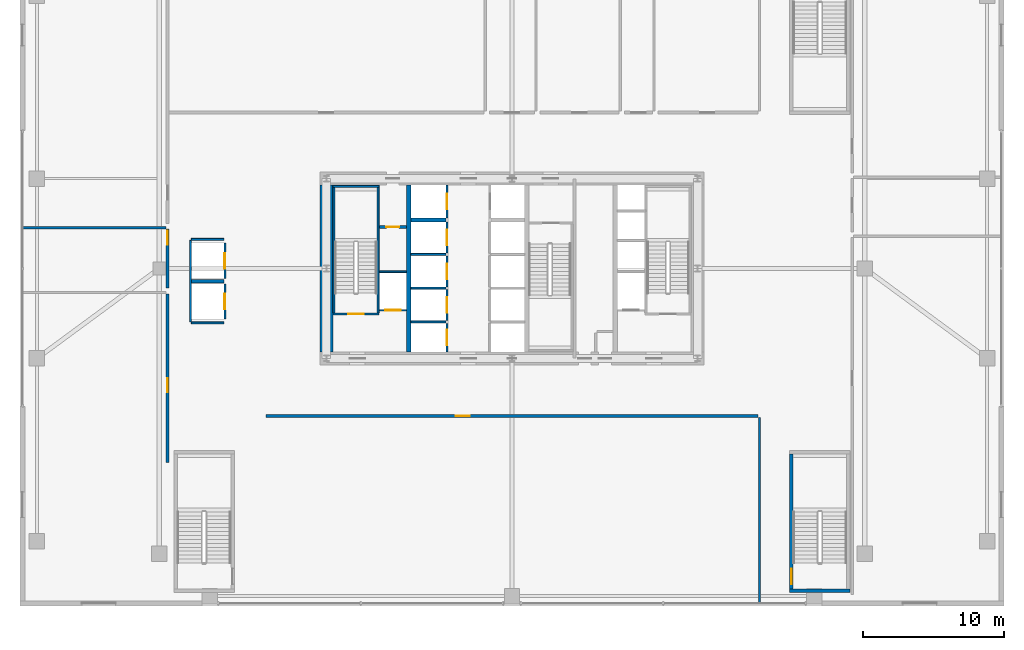
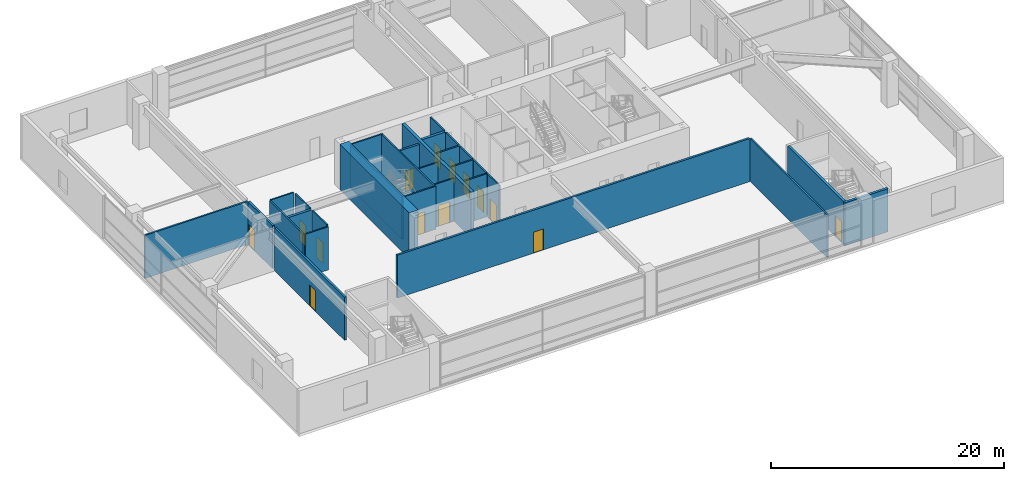
# One storey, part 33 of 38: 31 walls, 14 doors, 14 openings.
"""IFC4 building model written with IfcOpenShell, lengths in metres."""

from ifc_helpers import new_model, si_unit, direction, frame, frame_2d, origin, place, context, subcontext, project, spatial, rectangle, extrude, source, transform, mapped, material, layer, layer_set, type_object, element, fill, save


model = new_model("IFC4")

# Units and contexts
model_context = context("Model", 3, precision=1e-05, world=origin(), true_north=direction((0.0, 1.0)))
body_context = subcontext(model_context, "Body", "Model", "MODEL_VIEW")
ifc_project = project(units=[si_unit("LENGTHUNIT", "METRE"), si_unit("AREAUNIT", "SQUARE_METRE"), si_unit("VOLUMEUNIT", "CUBIC_METRE"), si_unit("PLANEANGLEUNIT", "RADIAN"), si_unit("MASSUNIT", "GRAM", prefix="KILO"), si_unit("THERMODYNAMICTEMPERATUREUNIT", "KELVIN"), si_unit("POWERUNIT", "WATT")], contexts=[model_context])

# Site, building, storey
site_placement = place(None, origin())
site = spatial("IfcSite", under=ifc_project, at=site_placement, CompositionType="ELEMENT")
building_placement = place(site_placement, origin())
building = spatial("IfcBuilding", under=site, at=building_placement, Name="Yuzanri Waterfront Tower", CompositionType="ELEMENT")
storey_placement = place(building_placement, frame((0.0, 0.0, 10.199951171875)))
storey = spatial("IfcBuildingStorey", under=building, at=storey_placement, Name="L03", CompositionType="ELEMENT", Elevation=10.199951171875)

# Wall, opening, door
ifc_material_1 = material(Name="Concrete C40", Category="concrete")
ifc_layer_1 = layer(ifc_material_1, 0.139892578125)
ifc_layer_set_1 = layer_set([ifc_layer_1], Name="Concrete C40")
wall_type_1 = type_object("IfcWallType", Name="Core Stair Liner and Hoistway Shaft Wall 140", PredefinedType="SOLIDWALL", material=ifc_layer_set_1)
wall_1_placement = place(storey_placement, frame((27.56005859375, 22.830078125, 0.0), z_axis=(0.0, 0.0, 1.0), x_axis=(1.0, 0.0, 0.0)))
wall_1 = element("IfcWall", 1, at=wall_1_placement, inside=storey, type_object=wall_type_1, Name="L03 Lift FL-01 Front Shaft Wall", PredefinedType="SOLIDWALL", context=body_context, shape_type="SweptSolid", body=[
    extrude(rectangle(XDim=1.919921875, YDim=0.139892578125, at=frame_2d((0.9599609375, 0.0))), origin(), (0.0, 0.0, 1.0), 4.52001953125),
])
opening_1_placement = place(wall_1_placement, frame((0.409912109375, 0.0, 0.0)))
opening_1 = element("IfcOpeningElement", 2, at=opening_1_placement, cuts=wall_1, Name="Opening LD-FL-01", PredefinedType="OPENING", context=body_context, shape_type="SweptSolid", body=[
    extrude(rectangle(XDim=1.10009765625, YDim=2.199951171875, at=frame_2d((0.550048828125, 1.10009765625))), frame((0.0, 0.0849609375, 0.0), z_axis=(0.0, -1.0, 0.0), x_axis=(1.0, 0.0, 0.0)), (0.0, 0.0, 1.0), 0.169677734375),
])
ifc_material_2 = material(Name="Brushed Bronze and Stainless Steel Cab", Category="steel")
door_type_1 = type_object("IfcDoorType", Name="Center-Parting Bronze Lift Landing Sliding Door 1100x2200", OperationType="NOTDEFINED", PredefinedType="DOOR", material=ifc_material_2)
shared_shape_1 = source(origin(), body_context, "Body", "SweptSolid", [
    extrude(rectangle(XDim=1.10009765625, YDim=2.199951171875, at=frame_2d((0.550048828125, 1.10009765625))), frame((0.0, 0.02490234375, 0.0), z_axis=(0.0, -1.0, 0.0), x_axis=(1.0, 0.0, 0.0)), (0.0, 0.0, 1.0), 0.050048828125),
])
door_1_placement = place(opening_1_placement, origin())
door_1 = element("IfcDoor", 3, at=door_1_placement, inside=storey, type_object=door_type_1, Name="L03 FL-01 Lift Landing Sliding Door", OperationType="SLIDING_TO_LEFT", OverallHeight=2.199951171875, OverallWidth=1.10009765625, PredefinedType="DOOR", context=body_context, shape_type="MappedRepresentation", body=[
    mapped(shared_shape_1, transform((0.0, 0.0, 0.0), scale=1.0)),
])
fill(opening_1, door_1)

wall_2_placement = place(storey_placement, frame((32.3701171875, 19.860107421875, 0.0), z_axis=(0.0, 0.0, 1.0), x_axis=(0.0, 1.0, 0.0)))
wall_2 = element("IfcWall", 4, at=wall_2_placement, inside=storey, type_object=wall_type_1, Name="L03 Lift PL-01 Front Shaft Wall", PredefinedType="SOLIDWALL", context=body_context, shape_type="SweptSolid", body=[
    extrude(rectangle(XDim=2.039794921875, YDim=0.139892578125, at=frame_2d((1.02001953125, 0.0))), origin(), (0.0, 0.0, 1.0), 4.52001953125),
])
opening_2_placement = place(wall_2_placement, frame((0.469970703125, 0.0, 0.0)))
opening_2 = element("IfcOpeningElement", 5, at=opening_2_placement, cuts=wall_2, Name="Opening LD-PL-01", PredefinedType="OPENING", context=body_context, shape_type="SweptSolid", body=[
    extrude(rectangle(XDim=1.10009765625, YDim=2.199951171875, at=frame_2d((0.550048828125, 1.10009765625))), frame((0.0, 0.0849609375, 0.0), z_axis=(0.0, -1.0, 0.0), x_axis=(1.0, 0.0, 0.0)), (0.0, 0.0, 1.0), 0.169677734375),
])
door_2_placement = place(opening_2_placement, origin())
door_2 = element("IfcDoor", 6, at=door_2_placement, inside=storey, type_object=door_type_1, Name="L03 PL-01 Lift Landing Sliding Door", OperationType="SLIDING_TO_LEFT", OverallHeight=2.199951171875, OverallWidth=1.10009765625, PredefinedType="DOOR", context=body_context, shape_type="MappedRepresentation", body=[
    mapped(shared_shape_1, transform((0.0, 0.0, 0.0), scale=1.0)),
])
fill(opening_2, door_2)

wall_3_placement = place(storey_placement, frame((32.3701171875, 22.10009765625, 0.0), z_axis=(0.0, 0.0, 1.0), x_axis=(0.0, 1.0, 0.0)))
wall_3 = element("IfcWall", 7, at=wall_3_placement, inside=storey, type_object=wall_type_1, Name="L03 Lift PL-02 Front Shaft Wall", PredefinedType="SOLIDWALL", context=body_context, shape_type="SweptSolid", body=[
    extrude(rectangle(XDim=2.199951171875, YDim=0.139892578125, at=frame_2d((1.10009765625, 0.0))), origin(), (0.0, 0.0, 1.0), 4.52001953125),
])
opening_3_placement = place(wall_3_placement, frame((0.550048828125, 0.0, 0.0)))
opening_3 = element("IfcOpeningElement", 8, at=opening_3_placement, cuts=wall_3, Name="Opening LD-PL-02", PredefinedType="OPENING", context=body_context, shape_type="SweptSolid", body=[
    extrude(rectangle(XDim=1.10009765625, YDim=2.199951171875, at=frame_2d((0.550048828125, 1.10009765625))), frame((0.0, 0.0849609375, 0.0), z_axis=(0.0, -1.0, 0.0), x_axis=(1.0, 0.0, 0.0)), (0.0, 0.0, 1.0), 0.169677734375),
])
door_3_placement = place(opening_3_placement, origin())
door_3 = element("IfcDoor", 9, at=door_3_placement, inside=storey, type_object=door_type_1, Name="L03 PL-02 Lift Landing Sliding Door", OperationType="SLIDING_TO_RIGHT", OverallHeight=2.199951171875, OverallWidth=1.10009765625, PredefinedType="DOOR", context=body_context, shape_type="MappedRepresentation", body=[
    mapped(shared_shape_1, transform((0.0, 0.0, 0.0), scale=1.0)),
])
fill(opening_3, door_3)

wall_4_placement = place(storey_placement, frame((32.3701171875, 24.5, 0.0), z_axis=(0.0, 0.0, 1.0), x_axis=(0.0, 1.0, 0.0)))
wall_4 = element("IfcWall", 10, at=wall_4_placement, inside=storey, type_object=wall_type_1, Name="L03 Lift PL-03 Front Shaft Wall", PredefinedType="SOLIDWALL", context=body_context, shape_type="SweptSolid", body=[
    extrude(rectangle(XDim=2.199951171875, YDim=0.139892578125, at=frame_2d((1.10009765625, 0.0))), origin(), (0.0, 0.0, 1.0), 4.52001953125),
])
opening_4_placement = place(wall_4_placement, frame((0.550048828125, 0.0, 0.0)))
opening_4 = element("IfcOpeningElement", 11, at=opening_4_placement, cuts=wall_4, Name="Opening LD-PL-03", PredefinedType="OPENING", context=body_context, shape_type="SweptSolid", body=[
    extrude(rectangle(XDim=1.10009765625, YDim=2.199951171875, at=frame_2d((0.550048828125, 1.10009765625))), frame((0.0, 0.0849609375, 0.0), z_axis=(0.0, -1.0, 0.0), x_axis=(1.0, 0.0, 0.0)), (0.0, 0.0, 1.0), 0.169677734375),
])
door_4_placement = place(opening_4_placement, origin())
door_4 = element("IfcDoor", 12, at=door_4_placement, inside=storey, type_object=door_type_1, Name="L03 PL-03 Lift Landing Sliding Door", OperationType="SLIDING_TO_LEFT", OverallHeight=2.199951171875, OverallWidth=1.10009765625, PredefinedType="DOOR", context=body_context, shape_type="MappedRepresentation", body=[
    mapped(shared_shape_1, transform((0.0, 0.0, 0.0), scale=1.0)),
])
fill(opening_4, door_4)

wall_5_placement = place(storey_placement, frame((32.3701171875, 26.89990234375, 0.0), z_axis=(0.0, 0.0, 1.0), x_axis=(0.0, 1.0, 0.0)))
wall_5 = element("IfcWall", 13, at=wall_5_placement, inside=storey, type_object=wall_type_1, Name="L03 Lift PL-04 Front Shaft Wall", PredefinedType="SOLIDWALL", context=body_context, shape_type="SweptSolid", body=[
    extrude(rectangle(XDim=2.2001953125, YDim=0.139892578125, at=frame_2d((1.10009765625, 0.0))), origin(), (0.0, 0.0, 1.0), 4.52001953125),
])
opening_5_placement = place(wall_5_placement, frame((0.550048828125, 0.0, 0.0)))
opening_5 = element("IfcOpeningElement", 14, at=opening_5_placement, cuts=wall_5, Name="Opening LD-PL-04", PredefinedType="OPENING", context=body_context, shape_type="SweptSolid", body=[
    extrude(rectangle(XDim=1.10009765625, YDim=2.199951171875, at=frame_2d((0.550048828125, 1.10009765625))), frame((0.0, 0.0849609375, 0.0), z_axis=(0.0, -1.0, 0.0), x_axis=(1.0, 0.0, 0.0)), (0.0, 0.0, 1.0), 0.169677734375),
])
door_5_placement = place(opening_5_placement, origin())
door_5 = element("IfcDoor", 15, at=door_5_placement, inside=storey, type_object=door_type_1, Name="L03 PL-04 Lift Landing Sliding Door", OperationType="SLIDING_TO_RIGHT", OverallHeight=2.199951171875, OverallWidth=1.10009765625, PredefinedType="DOOR", context=body_context, shape_type="MappedRepresentation", body=[
    mapped(shared_shape_1, transform((0.0, 0.0, 0.0), scale=1.0)),
])
fill(opening_5, door_5)

wall_6_placement = place(storey_placement, frame((32.3701171875, 29.39990234375, 0.0), z_axis=(0.0, 0.0, 1.0), x_axis=(0.0, 1.0, 0.0)))
wall_6 = element("IfcWall", 16, at=wall_6_placement, inside=storey, type_object=wall_type_1, Name="L03 Lift SL-01 Front Shaft Wall", PredefinedType="SOLIDWALL", context=body_context, shape_type="SweptSolid", body=[
    extrude(rectangle(XDim=2.340087890625, YDim=0.139892578125, at=frame_2d((1.169921875, 0.0))), origin(), (0.0, 0.0, 1.0), 4.52001953125),
])
opening_6_placement = place(wall_6_placement, frame((0.6201171875, 0.0, 0.0)))
opening_6 = element("IfcOpeningElement", 17, at=opening_6_placement, cuts=wall_6, Name="Opening LD-SL-01", PredefinedType="OPENING", context=body_context, shape_type="SweptSolid", body=[
    extrude(rectangle(XDim=1.10009765625, YDim=2.199951171875, at=frame_2d((0.550048828125, 1.10009765625))), frame((0.0, 0.0849609375, 0.0), z_axis=(0.0, -1.0, 0.0), x_axis=(1.0, 0.0, 0.0)), (0.0, 0.0, 1.0), 0.169677734375),
])
door_6_placement = place(opening_6_placement, origin())
door_6 = element("IfcDoor", 18, at=door_6_placement, inside=storey, type_object=door_type_1, Name="L03 SL-01 Lift Landing Sliding Door", OperationType="SLIDING_TO_LEFT", OverallHeight=2.199951171875, OverallWidth=1.10009765625, PredefinedType="DOOR", context=body_context, shape_type="MappedRepresentation", body=[
    mapped(shared_shape_1, transform((0.0, 0.0, 0.0), scale=1.0)),
])
fill(opening_6, door_6)

wall_7_placement = place(storey_placement, frame((16.570068359375, 22.199951171875, 0.0), z_axis=(0.0, 0.0, 1.0), x_axis=(0.0, 1.0, 0.0)))
wall_7 = element("IfcWall", 19, at=wall_7_placement, inside=storey, type_object=wall_type_1, Name="L03 Lift RL-01 Front Shaft Wall", PredefinedType="SOLIDWALL", context=body_context, shape_type="SweptSolid", body=[
    extrude(rectangle(XDim=2.5, YDim=0.139892578125, at=frame_2d((1.25, 0.0))), origin(), (0.0, 0.0, 1.0), 4.52001953125),
])
opening_7_placement = place(wall_7_placement, frame((0.699951171875, 0.0, 0.0)))
opening_7 = element("IfcOpeningElement", 20, at=opening_7_placement, cuts=wall_7, Name="Opening LD-RL-01", PredefinedType="OPENING", context=body_context, shape_type="SweptSolid", body=[
    extrude(rectangle(XDim=1.10009765625, YDim=2.199951171875, at=frame_2d((0.550048828125, 1.10009765625))), frame((0.0, 0.0849609375, 0.0), z_axis=(0.0, -1.0, 0.0), x_axis=(1.0, 0.0, 0.0)), (0.0, 0.0, 1.0), 0.169677734375),
])
door_7_placement = place(opening_7_placement, origin())
door_7 = element("IfcDoor", 21, at=door_7_placement, inside=storey, type_object=door_type_1, Name="L03 RL-01 Lift Landing Sliding Door", OperationType="SLIDING_TO_RIGHT", OverallHeight=2.199951171875, OverallWidth=1.10009765625, PredefinedType="DOOR", context=body_context, shape_type="MappedRepresentation", body=[
    mapped(shared_shape_1, transform((0.0, 0.0, 0.0), scale=1.0)),
])
fill(opening_7, door_7)

wall_8_placement = place(storey_placement, frame((16.570068359375, 25.10009765625, 0.0), z_axis=(0.0, 0.0, 1.0), x_axis=(0.0, 1.0, 0.0)))
wall_8 = element("IfcWall", 22, at=wall_8_placement, inside=storey, type_object=wall_type_1, Name="L03 Lift RL-02 Front Shaft Wall", PredefinedType="SOLIDWALL", context=body_context, shape_type="SweptSolid", body=[
    extrude(rectangle(XDim=2.5, YDim=0.139892578125, at=frame_2d((1.25, 0.0))), origin(), (0.0, 0.0, 1.0), 4.52001953125),
])
opening_8_placement = place(wall_8_placement, frame((0.699951171875, 0.0, 0.0)))
opening_8 = element("IfcOpeningElement", 23, at=opening_8_placement, cuts=wall_8, Name="Opening LD-RL-02", PredefinedType="OPENING", context=body_context, shape_type="SweptSolid", body=[
    extrude(rectangle(XDim=1.10009765625, YDim=2.199951171875, at=frame_2d((0.550048828125, 1.10009765625))), frame((0.0, 0.0849609375, 0.0), z_axis=(0.0, -1.0, 0.0), x_axis=(1.0, 0.0, 0.0)), (0.0, 0.0, 1.0), 0.169677734375),
])
door_8_placement = place(opening_8_placement, origin())
door_8 = element("IfcDoor", 24, at=door_8_placement, inside=storey, type_object=door_type_1, Name="L03 RL-02 Lift Landing Sliding Door", OperationType="SLIDING_TO_LEFT", OverallHeight=2.199951171875, OverallWidth=1.10009765625, PredefinedType="DOOR", context=body_context, shape_type="MappedRepresentation", body=[
    mapped(shared_shape_1, transform((0.0, 0.0, 0.0), scale=1.0)),
])
fill(opening_8, door_8)

wall_9_placement = place(storey_placement, frame((24.260009765625, 22.570068359375, 0.0), z_axis=(0.0, 0.0, 1.0), x_axis=(1.0, 0.0, 0.0)))
wall_9 = element("IfcWall", 25, at=wall_9_placement, inside=storey, type_object=wall_type_1, Name="L03 Shaft Wall STW-L03-ST-01-S", PredefinedType="SOLIDWALL", context=body_context, shape_type="SweptSolid", body=[
    extrude(rectangle(XDim=3.280029296875, YDim=0.139892578125, at=frame_2d((1.64013671875, 0.0))), origin(), (0.0, 0.0, 1.0), 4.52001953125),
])
opening_9_placement = place(wall_9_placement, frame((1.090087890625, 0.0, 0.0)))
opening_9 = element("IfcOpeningElement", 26, at=opening_9_placement, cuts=wall_9, Name="Opening FD-1100", PredefinedType="OPENING", context=body_context, shape_type="SweptSolid", body=[
    extrude(rectangle(XDim=1.10009765625, YDim=2.199951171875, at=frame_2d((0.550048828125, 1.10009765625))), frame((0.0, 0.0849609375, 0.0), z_axis=(0.0, -1.0, 0.0), x_axis=(1.0, 0.0, 0.0)), (0.0, 0.0, 1.0), 0.169677734375),
])
ifc_material_3 = material(Name="Painted Galvanized Fire Steel", Category="steel")
door_type_2 = type_object("IfcDoorType", Name="Smoke-Proof Stair and Lobby Fire Door 1100x2200", OperationType="NOTDEFINED", PredefinedType="DOOR", material=ifc_material_3)
shared_shape_2 = source(origin(), body_context, "Body", "SweptSolid", [
    extrude(rectangle(XDim=1.10009765625, YDim=2.199951171875, at=frame_2d((0.550048828125, 1.10009765625))), frame((0.0, 0.02490234375, 0.0), z_axis=(0.0, -1.0, 0.0), x_axis=(1.0, 0.0, 0.0)), (0.0, 0.0, 1.0), 0.050048828125),
])
door_9_placement = place(opening_9_placement, origin())
door_9 = element("IfcDoor", 27, at=door_9_placement, inside=storey, type_object=door_type_2, Name="L03 Stair ST-01 Fire Door", OperationType="SINGLE_SWING_RIGHT", OverallHeight=2.199951171875, OverallWidth=1.10009765625, PredefinedType="DOOR", context=body_context, shape_type="MappedRepresentation", body=[
    mapped(shared_shape_2, transform((0.0, 0.0, 0.0), scale=1.0)),
])
fill(opening_9, door_9)

ifc_material_4 = material(Name="Autoclaved Aerated Concrete Blockwork", Category="masonry")
ifc_layer_2 = layer(ifc_material_4, 0.199951171875)
ifc_layer_set_2 = layer_set([ifc_layer_2], Name="Autoclaved Aerated Concrete Blockwork")
wall_type_2 = type_object("IfcWallType", Name="Corridor and Unit Party Fire Wall 200", PredefinedType="PARTITIONING", material=ifc_layer_set_2)
wall_10_placement = place(storey_placement, frame((27.56005859375, 28.75, 0.0), z_axis=(0.0, 0.0, 1.0), x_axis=(1.0, 0.0, 0.0)))
wall_10 = element("IfcWall", 28, at=wall_10_placement, inside=storey, type_object=wall_type_2, Name="L03 Partition CRW-L03-ERTR", PredefinedType="PARTITIONING", context=body_context, shape_type="SweptSolid", body=[
    extrude(rectangle(XDim=1.919921875, YDim=0.199951171875, at=frame_2d((0.9599609375, 0.0))), origin(), (0.0, 0.0, 1.0), 4.52001953125),
])
opening_10_placement = place(wall_10_placement, frame((0.510009765625, 0.0, 0.0)))
opening_10 = element("IfcOpeningElement", 29, at=opening_10_placement, cuts=wall_10, Name="Opening FD-0900", PredefinedType="OPENING", context=body_context, shape_type="SweptSolid", body=[
    extrude(rectangle(XDim=0.89990234375, YDim=2.14990234375, at=frame_2d((0.449951171875, 1.074951171875))), frame((0.0, 0.11474609375, 0.0), z_axis=(0.0, -1.0, 0.0), x_axis=(1.0, 0.0, 0.0)), (0.0, 0.0, 1.0), 0.229736328125),
])
ifc_material_5 = material(Name="Painted Galvanized Fire Steel", Category="steel")
door_type_3 = type_object("IfcDoorType", Name="Riser and Service Room Fire Door 900x2150", OperationType="NOTDEFINED", PredefinedType="DOOR", material=ifc_material_5)
shared_shape_3 = source(origin(), body_context, "Body", "SweptSolid", [
    extrude(rectangle(XDim=0.89990234375, YDim=2.14990234375, at=frame_2d((0.449951171875, 1.074951171875))), frame((0.0, 0.02490234375, 0.0), z_axis=(0.0, -1.0, 0.0), x_axis=(1.0, 0.0, 0.0)), (0.0, 0.0, 1.0), 0.050048828125),
])
door_10_placement = place(opening_10_placement, origin())
door_10 = element("IfcDoor", 30, at=door_10_placement, inside=storey, type_object=door_type_3, Name="L03 Electrical Riser Door", OperationType="SINGLE_SWING_RIGHT", OverallHeight=2.14990234375, OverallWidth=0.89990234375, PredefinedType="DOOR", context=body_context, shape_type="MappedRepresentation", body=[
    mapped(shared_shape_3, transform((0.0, 0.0, 0.0), scale=1.0)),
])
fill(opening_10, door_10)

wall_11_placement = place(storey_placement, frame((19.5, 15.300048828125, 0.0), z_axis=(0.0, 0.0, 1.0), x_axis=(1.0, 0.0, 0.0)))
wall_11 = element("IfcWall", 31, at=wall_11_placement, inside=storey, type_object=wall_type_2, Name="L03 Partition PRW-L03-025-N", PredefinedType="PARTITIONING", context=body_context, shape_type="SweptSolid", body=[
    extrude(rectangle(XDim=35.0, YDim=0.199951171875, at=frame_2d((17.5, 0.0))), origin(), (0.0, 0.0, 1.0), 4.52001953125),
])
opening_11_placement = place(wall_11_placement, frame((13.5, 0.0, 0.0)))
opening_11 = element("IfcOpeningElement", 32, at=opening_11_placement, cuts=wall_11, Name="Opening FD-1000", PredefinedType="OPENING", context=body_context, shape_type="SweptSolid", body=[
    extrude(rectangle(XDim=1.0, YDim=2.199951171875, at=frame_2d((0.5, 1.10009765625))), frame((0.0, 0.11474609375, 0.0), z_axis=(0.0, -1.0, 0.0), x_axis=(1.0, 0.0, 0.0)), (0.0, 0.0, 1.0), 0.229736328125),
])
ifc_material_6 = material(Name="Engineered Oak Fire-Rated Timber", Category="wood")
door_type_4 = type_object("IfcDoorType", Name="Guestroom and Apartment Entrance Fire Door 1000x2200", OperationType="NOTDEFINED", PredefinedType="DOOR", material=ifc_material_6)
shared_shape_4 = source(origin(), body_context, "Body", "SweptSolid", [
    extrude(rectangle(XDim=1.0, YDim=2.199951171875, at=frame_2d((0.5, 1.10009765625))), frame((0.0, 0.02490234375, 0.0), z_axis=(0.0, -1.0, 0.0), x_axis=(1.0, 0.0, 0.0)), (0.0, 0.0, 1.0), 0.050048828125),
])
door_11_placement = place(opening_11_placement, origin())
door_11 = element("IfcDoor", 33, at=door_11_placement, inside=storey, type_object=door_type_4, Name="L03 Signature Riverview Cantonese Restaurant", OperationType="SINGLE_SWING_LEFT", OverallHeight=2.199951171875, OverallWidth=1.0, PredefinedType="DOOR", context=body_context, shape_type="MappedRepresentation", body=[
    mapped(shared_shape_4, transform((0.0, 0.0, 0.0), scale=1.0)),
])
fill(opening_11, door_11)

wall_12_placement = place(storey_placement, frame((12.5, 12.0, 0.0), z_axis=(0.0, 0.0, 1.0), x_axis=(0.0, 1.0, 0.0)))
wall_12 = element("IfcWall", 34, at=wall_12_placement, inside=storey, type_object=wall_type_2, Name="L03 Partition PRW-L03-026-E", PredefinedType="PARTITIONING", context=body_context, shape_type="SweptSolid", body=[
    extrude(rectangle(XDim=12.0, YDim=0.199951171875, at=frame_2d((6.0, 0.0))), origin(), (0.0, 0.0, 1.0), 4.52001953125),
])
opening_12_placement = place(wall_12_placement, frame((5.0, 0.0, 0.0)))
opening_12 = element("IfcOpeningElement", 35, at=opening_12_placement, cuts=wall_12, Name="Opening FD-1000", PredefinedType="OPENING", context=body_context, shape_type="SweptSolid", body=[
    extrude(rectangle(XDim=1.0, YDim=2.199951171875, at=frame_2d((0.5, 1.10009765625))), frame((0.0, 0.11474609375, 0.0), z_axis=(0.0, -1.0, 0.0), x_axis=(1.0, 0.0, 0.0)), (0.0, 0.0, 1.0), 0.229736328125),
])
door_12_placement = place(opening_12_placement, origin())
door_12 = element("IfcDoor", 36, at=door_12_placement, inside=storey, type_object=door_type_4, Name="L03 West Private Dining Salon", OperationType="SINGLE_SWING_RIGHT", OverallHeight=2.199951171875, OverallWidth=1.0, PredefinedType="DOOR", context=body_context, shape_type="MappedRepresentation", body=[
    mapped(shared_shape_4, transform((0.0, 0.0, 0.0), scale=1.0)),
])
fill(opening_12, door_12)

wall_13_placement = place(storey_placement, frame((12.5, 24.39990234375, 0.0), z_axis=(0.0, 0.0, 1.0), x_axis=(0.0, 1.0, 0.0)))
wall_13 = element("IfcWall", 37, at=wall_13_placement, inside=storey, type_object=wall_type_2, Name="L03 Partition PRW-L03-027-E", PredefinedType="PARTITIONING", context=body_context, shape_type="SweptSolid", body=[
    extrude(rectangle(XDim=4.2001953125, YDim=0.199951171875, at=frame_2d((2.10009765625, 0.0))), origin(), (0.0, 0.0, 1.0), 4.52001953125),
])
opening_13_placement = place(wall_13_placement, frame((3.080078125, 0.0, 0.0)))
opening_13 = element("IfcOpeningElement", 38, at=opening_13_placement, cuts=wall_13, Name="Opening FD-1000", PredefinedType="OPENING", context=body_context, shape_type="SweptSolid", body=[
    extrude(rectangle(XDim=1.0, YDim=2.199951171875, at=frame_2d((0.5, 1.10009765625))), frame((0.0, 0.11474609375, 0.0), z_axis=(0.0, -1.0, 0.0), x_axis=(1.0, 0.0, 0.0)), (0.0, 0.0, 1.0), 0.229736328125),
])
door_13_placement = place(opening_13_placement, origin())
door_13 = element("IfcDoor", 39, at=door_13_placement, inside=storey, type_object=door_type_4, Name="L03 Culinary Prep Pantry", OperationType="SINGLE_SWING_LEFT", OverallHeight=2.199951171875, OverallWidth=1.0, PredefinedType="DOOR", context=body_context, shape_type="MappedRepresentation", body=[
    mapped(shared_shape_4, transform((0.0, 0.0, 0.0), scale=1.0)),
])
fill(opening_13, door_13)

ifc_material_7 = material(Name="Concrete C40", Category="concrete")
ifc_layer_3 = layer(ifc_material_7, 0.25)
ifc_layer_set_3 = layer_set([ifc_layer_3], Name="Concrete C40")
wall_type_3 = type_object("IfcWallType", Name="Smoke-Proof Stair and Lift Shaft Wall 250", PredefinedType="SOLIDWALL", material=ifc_layer_set_3)
wall_14_placement = place(storey_placement, frame((56.875, 3.0, 0.0), z_axis=(0.0, 0.0, 1.0), x_axis=(0.0, 1.0, 0.0)))
wall_14 = element("IfcWall", 40, at=wall_14_placement, inside=storey, type_object=wall_type_3, Name="L03 Shaft Wall PSTW-L03-PST-02-W", PredefinedType="SOLIDWALL", context=body_context, shape_type="SweptSolid", body=[
    extrude(rectangle(XDim=9.60009765625, YDim=0.25, at=frame_2d((4.800048828125, 0.0))), origin(), (0.0, 0.0, 1.0), 4.52001953125),
])
opening_14_placement = place(wall_14_placement, frame((0.35009765625, 0.0, 0.0)))
opening_14 = element("IfcOpeningElement", 41, at=opening_14_placement, cuts=wall_14, Name="Opening FD-1100", PredefinedType="OPENING", context=body_context, shape_type="SweptSolid", body=[
    extrude(rectangle(XDim=1.10009765625, YDim=2.199951171875, at=frame_2d((0.550048828125, 1.10009765625))), frame((0.0, 0.139892578125, 0.0), z_axis=(0.0, -1.0, 0.0), x_axis=(1.0, 0.0, 0.0)), (0.0, 0.0, 1.0), 0.27978515625),
])
door_14_placement = place(opening_14_placement, origin())
door_14 = element("IfcDoor", 42, at=door_14_placement, inside=storey, type_object=door_type_2, Name="L03 PST-02 Stair Door", OperationType="SINGLE_SWING_RIGHT", OverallHeight=2.199951171875, OverallWidth=1.10009765625, PredefinedType="DOOR", context=body_context, shape_type="MappedRepresentation", body=[
    mapped(shared_shape_2, transform((0.0, 0.0, 0.0), scale=1.0)),
])
fill(opening_14, door_14)

# Walls
ifc_material_8 = material(Name="Concrete C60", Category="concrete")
ifc_layer_4 = layer(ifc_material_8, 0.89990234375)
ifc_layer_set_4 = layer_set([ifc_layer_4], Name="Concrete C60")
wall_type_4 = type_object("IfcWallType", Name="Concrete C60 Lower Zone Core Shear Wall 900", PredefinedType="SHEAR", material=ifc_layer_set_4)
shared_shape_5 = source(origin(), body_context, "Body", "SweptSolid", [
    extrude(rectangle(XDim=11.89990234375, YDim=0.89990234375, at=frame_2d((5.949951171875, 0.0))), origin(), (0.0, 0.0, 1.0), 4.800048828125),
])
wall_15_placement = place(storey_placement, frame((23.800048828125, 19.85009765625, 0.0), z_axis=(0.0, 0.0, 1.0), x_axis=(0.0, 1.0, 0.0)))
element("IfcWall", 43, at=wall_15_placement, inside=storey, type_object=wall_type_4, Name="L03 Core West Shear Wall", PredefinedType="SHEAR", context=body_context, shape_type="MappedRepresentation", body=[
    mapped(shared_shape_5, transform((0.0, 0.0, 0.0), scale=1.0)),
])
ifc_material_9 = material(Name="Concrete C50", Category="concrete")
ifc_layer_5 = layer(ifc_material_9, 0.300048828125)
ifc_layer_set_5 = layer_set([ifc_layer_5], Name="Concrete C50")
wall_type_5 = type_object("IfcWallType", Name="Concrete C50 Internal Core Shaft Structural Wall 300", PredefinedType="SOLIDWALL", material=ifc_layer_set_5)
shared_shape_6 = source(origin(), body_context, "Body", "SweptSolid", [
    extrude(rectangle(XDim=11.89990234375, YDim=0.300048828125, at=frame_2d((5.949951171875, 0.0))), origin(), (0.0, 0.0, 1.0), 4.800048828125),
])
wall_16_placement = place(storey_placement, frame((29.64990234375, 19.85009765625, 0.0), z_axis=(0.0, 0.0, 1.0), x_axis=(0.0, 1.0, 0.0)))
element("IfcWall", 44, at=wall_16_placement, inside=storey, type_object=wall_type_5, Name="L03 Core Internal Structural Web Wall 1", PredefinedType="SOLIDWALL", context=body_context, shape_type="MappedRepresentation", body=[
    mapped(shared_shape_6, transform((0.0, 0.0, 0.0), scale=1.0)),
])
shared_shape_7 = source(origin(), body_context, "Body", "SweptSolid", [
    extrude(rectangle(XDim=1.919921875, YDim=0.139892578125, at=frame_2d((0.9599609375, 0.0))), origin(), (0.0, 0.0, 1.0), 4.52001953125),
])
wall_17_placement = place(storey_placement, frame((27.56005859375, 25.570068359375, 0.0), z_axis=(0.0, 0.0, 1.0), x_axis=(1.0, 0.0, 0.0)))
element("IfcWall", 45, at=wall_17_placement, inside=storey, type_object=wall_type_1, Name="L03 Lift FL-01 Back Shaft Wall", PredefinedType="SOLIDWALL", context=body_context, shape_type="MappedRepresentation", body=[
    mapped(shared_shape_7, transform((0.0, 0.0, 0.0), scale=1.0)),
])
shared_shape_8 = source(origin(), body_context, "Body", "SweptSolid", [
    extrude(rectangle(XDim=2.5, YDim=0.139892578125, at=frame_2d((1.25, 0.0))), origin(), (0.0, 0.0, 1.0), 4.52001953125),
])
for number, where, z_axis, x_axis, name in (
    (46, (29.800048828125, 22.0, 0.0), (0.0, 0.0, 1.0), (1.0, 0.0, 0.0), "L03 Lift PL-01 Divider Wall"),
    (47, (29.800048828125, 24.39990234375, 0.0), (0.0, 0.0, 1.0), (1.0, 0.0, 0.0), "L03 Lift PL-02 Divider Wall"),
    (48, (29.800048828125, 26.800048828125, 0.0), (0.0, 0.0, 1.0), (1.0, 0.0, 0.0), "L03 Lift PL-03 Divider Wall"),
):
    element("IfcWall", number, at=place(storey_placement, frame(where, z_axis=z_axis, x_axis=x_axis)), inside=storey, type_object=wall_type_1, Name=name, PredefinedType="SOLIDWALL", context=body_context, shape_type="MappedRepresentation", body=[
        mapped(shared_shape_8, transform((0.0, 0.0, 0.0), scale=1.0)),
    ])
shared_shape_9 = source(origin(), body_context, "Body", "SweptSolid", [
    extrude(rectangle(XDim=2.5, YDim=0.25, at=frame_2d((1.25, 0.0))), origin(), (0.0, 0.0, 1.0), 4.52001953125),
])
wall_18_placement = place(storey_placement, frame((29.800048828125, 29.25, 0.0), z_axis=(0.0, 0.0, 1.0), x_axis=(1.0, 0.0, 0.0)))
element("IfcWall", 49, at=wall_18_placement, inside=storey, type_object=wall_type_3, Name="L03 Lift SL-01 South Shaft Wall", PredefinedType="SOLIDWALL", context=body_context, shape_type="MappedRepresentation", body=[
    mapped(shared_shape_9, transform((0.0, 0.0, 0.0), scale=1.0)),
])
shared_shape_10 = source(origin(), body_context, "Body", "SweptSolid", [
    extrude(rectangle(XDim=2.300048828125, YDim=0.25, at=frame_2d((1.14990234375, 0.0))), origin(), (0.0, 0.0, 1.0), 4.52001953125),
])
wall_19_placement = place(storey_placement, frame((14.199951171875, 24.89990234375, 0.0), z_axis=(0.0, 0.0, 1.0), x_axis=(1.0, 0.0, 0.0)))
element("IfcWall", 50, at=wall_19_placement, inside=storey, type_object=wall_type_3, Name="L03 Lift RL-01 Divider Wall", PredefinedType="SOLIDWALL", context=body_context, shape_type="MappedRepresentation", body=[
    mapped(shared_shape_10, transform((0.0, 0.0, 0.0), scale=1.0)),
])
shared_shape_11 = source(origin(), body_context, "Body", "SweptSolid", [
    extrude(rectangle(XDim=5.800048828125, YDim=0.139892578125, at=frame_2d((2.89990234375, 0.0))), origin(), (0.0, 0.0, 1.0), 4.52001953125),
])
wall_20_placement = place(storey_placement, frame((14.1298828125, 22.0, 0.0), z_axis=(0.0, 0.0, 1.0), x_axis=(0.0, 1.0, 0.0)))
element("IfcWall", 51, at=wall_20_placement, inside=storey, type_object=wall_type_1, Name="L03 Retail Lift West Shaft Wall", PredefinedType="SOLIDWALL", context=body_context, shape_type="MappedRepresentation", body=[
    mapped(shared_shape_11, transform((0.0, 0.0, 0.0), scale=1.0)),
])
shared_shape_12 = source(origin(), body_context, "Body", "SweptSolid", [
    extrude(rectangle(XDim=2.300048828125, YDim=0.139892578125, at=frame_2d((1.14990234375, 0.0))), origin(), (0.0, 0.0, 1.0), 4.52001953125),
])
for number, where, z_axis, x_axis, name in (
    (52, (14.199951171875, 21.929931640625, 0.0), (0.0, 0.0, 1.0), (1.0, 0.0, 0.0), "L03 Retail Lift South Shaft Wall"),
    (53, (14.199951171875, 27.8701171875, 0.0), (0.0, 0.0, 1.0), (1.0, 0.0, 0.0), "L03 Retail Lift North Shaft Wall"),
):
    element("IfcWall", number, at=place(storey_placement, frame(where, z_axis=z_axis, x_axis=x_axis)), inside=storey, type_object=wall_type_1, Name=name, PredefinedType="SOLIDWALL", context=body_context, shape_type="MappedRepresentation", body=[
        mapped(shared_shape_12, transform((0.0, 0.0, 0.0), scale=1.0)),
    ])
shared_shape_13 = source(origin(), body_context, "Body", "SweptSolid", [
    extrude(rectangle(XDim=3.280029296875, YDim=0.139892578125, at=frame_2d((1.64013671875, 0.0))), origin(), (0.0, 0.0, 1.0), 4.52001953125),
])
wall_21_placement = place(storey_placement, frame((24.260009765625, 31.64990234375, 0.0), z_axis=(0.0, 0.0, 1.0), x_axis=(1.0, 0.0, 0.0)))
element("IfcWall", 54, at=wall_21_placement, inside=storey, type_object=wall_type_1, Name="L03 Stair ST-01 North Shaft Wall", PredefinedType="SOLIDWALL", context=body_context, shape_type="MappedRepresentation", body=[
    mapped(shared_shape_13, transform((0.0, 0.0, 0.0), scale=1.0)),
])
shared_shape_14 = source(origin(), body_context, "Body", "SweptSolid", [
    extrude(rectangle(XDim=8.940185546875, YDim=0.139892578125, at=frame_2d((4.47021484375, 0.0))), origin(), (0.0, 0.0, 1.0), 4.52001953125),
])
for number, where, z_axis, x_axis, name in (
    (55, (24.330078125, 22.639892578125, 0.0), (0.0, 0.0, 1.0), (0.0, 1.0, 0.0), "L03 Stair ST-01 West Shaft Wall"),
    (56, (27.469970703125, 22.639892578125, 0.0), (0.0, 0.0, 1.0), (0.0, 1.0, 0.0), "L03 Stair ST-01 East Shaft Wall"),
):
    element("IfcWall", number, at=place(storey_placement, frame(where, z_axis=z_axis, x_axis=x_axis)), inside=storey, type_object=wall_type_1, Name=name, PredefinedType="SOLIDWALL", context=body_context, shape_type="MappedRepresentation", body=[
        mapped(shared_shape_14, transform((0.0, 0.0, 0.0), scale=1.0)),
    ])
shared_shape_15 = source(origin(), body_context, "Body", "SweptSolid", [
    extrude(rectangle(XDim=4.300048828125, YDim=0.25, at=frame_2d((2.14990234375, 0.0))), origin(), (0.0, 0.0, 1.0), 4.52001953125),
])
wall_22_placement = place(storey_placement, frame((56.75, 2.875, 0.0), z_axis=(0.0, 0.0, 1.0), x_axis=(1.0, 0.0, 0.0)))
element("IfcWall", 57, at=wall_22_placement, inside=storey, type_object=wall_type_3, Name="L03 PST-02 South Wall", PredefinedType="SOLIDWALL", context=body_context, shape_type="MappedRepresentation", body=[
    mapped(shared_shape_15, transform((0.0, 0.0, 0.0), scale=1.0)),
])
ifc_material_10 = material(Name="Gypsum Fireboard Acoustic Stud Wall", Category="gypsum")
ifc_layer_6 = layer(ifc_material_10, 0.159912109375)
ifc_layer_set_6 = layer_set([ifc_layer_6], Name="Gypsum Fireboard Acoustic Stud Wall")
wall_type_6 = type_object("IfcWallType", Name="Acoustic Suite Demising Partition 160", PredefinedType="PARTITIONING", material=ifc_layer_set_6)
shared_shape_16 = source(origin(), body_context, "Body", "SweptSolid", [
    extrude(rectangle(XDim=10.219970703125, YDim=0.159912109375, at=frame_2d((5.10986328125, 0.0))), origin(), (0.0, 0.0, 1.0), 4.52001953125),
])
wall_23_placement = place(storey_placement, frame((2.179931640625, 28.699951171875, 0.0), z_axis=(0.0, 0.0, 1.0), x_axis=(1.0, 0.0, 0.0)))
element("IfcWall", 58, at=wall_23_placement, inside=storey, type_object=wall_type_6, Name="L03-027 North Partition", PredefinedType="PARTITIONING", context=body_context, shape_type="MappedRepresentation", body=[
    mapped(shared_shape_16, transform((0.0, 0.0, 0.0), scale=1.0)),
])
shared_shape_17 = source(origin(), body_context, "Body", "SweptSolid", [
    extrude(rectangle(XDim=13.219970703125, YDim=0.159912109375, at=frame_2d((6.60986328125, 0.0))), origin(), (0.0, 0.0, 1.0), 4.52001953125),
])
wall_24_placement = place(storey_placement, frame((54.60009765625, 1.97998046875, 0.0), z_axis=(0.0, 0.0, 1.0), x_axis=(0.0, 1.0, 0.0)))
element("IfcWall", 59, at=wall_24_placement, inside=storey, type_object=wall_type_6, Name="L03-025 Demising Wall", PredefinedType="PARTITIONING", context=body_context, shape_type="MappedRepresentation", body=[
    mapped(shared_shape_17, transform((0.0, 0.0, 0.0), scale=1.0)),
])

save(model, "model.ifc")
